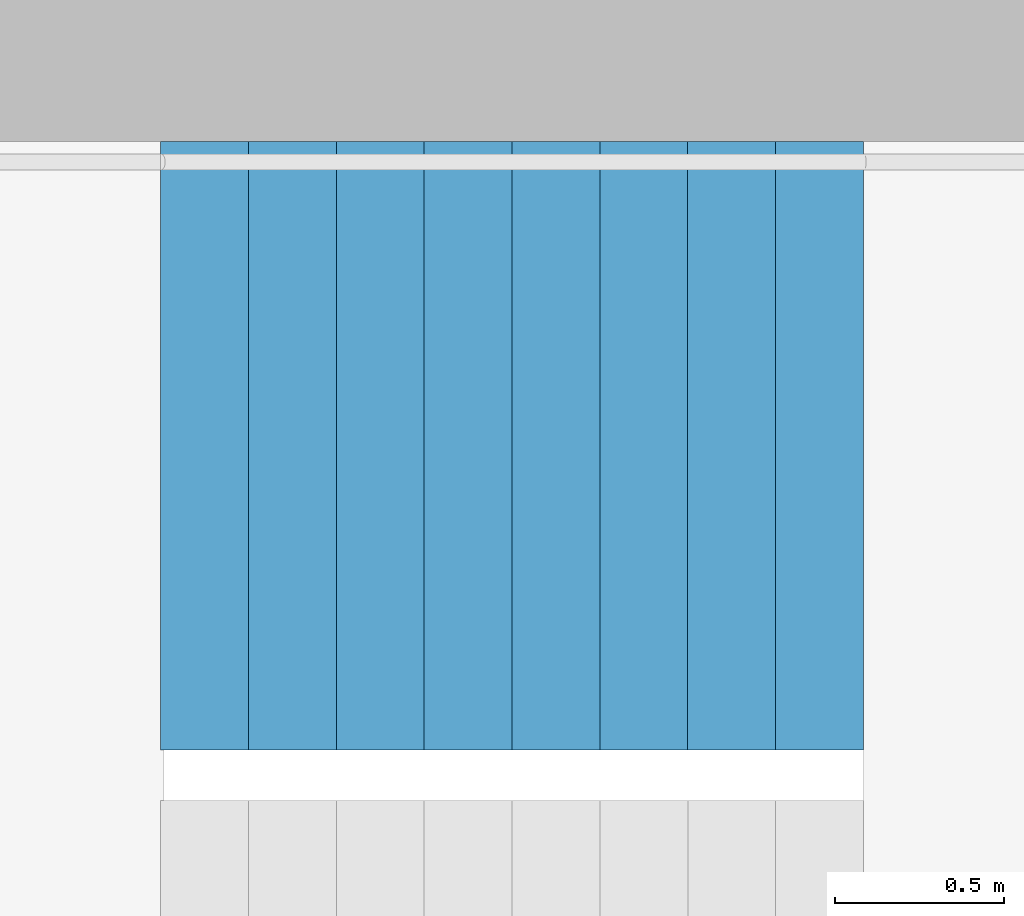
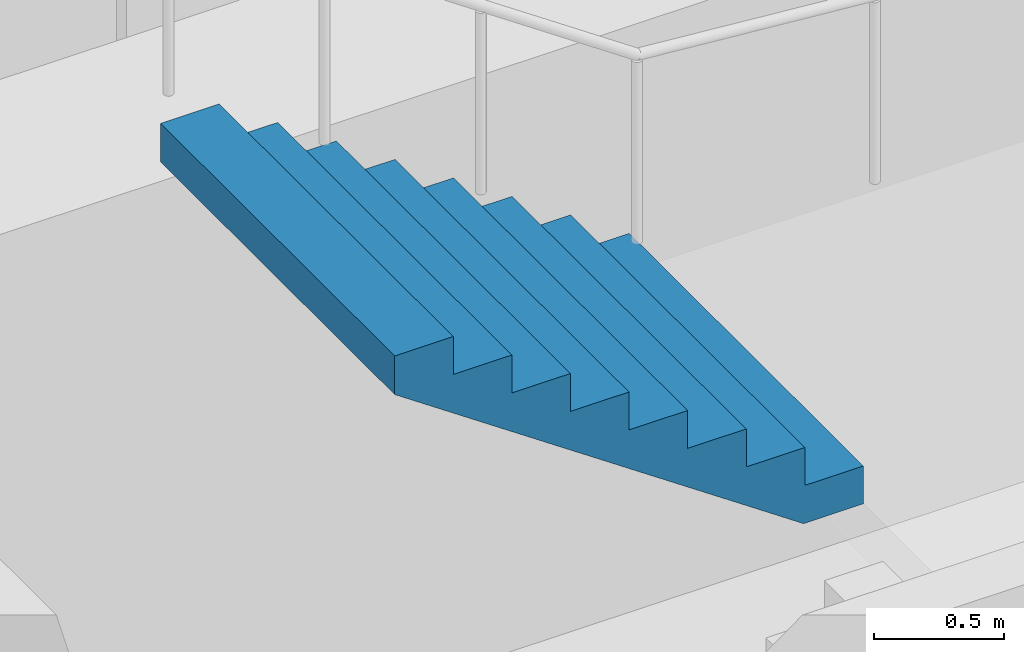
# One storey, part 21 of 26: 1 stair flight, 1 element without a shape of its own.
"""IFC4 building model written with IfcOpenShell, lengths in metres."""

from ifc_helpers import new_model, si_unit, direction, frame, origin, place, context, subcontext, project, spatial, triangles, material, type_object, element, aggregate, save


model = new_model("IFC4")

# Units and contexts
model_context = context("Model", 3, precision=1e-05, world=origin(), true_north=direction((0.0, 1.0)))
body_context = subcontext(model_context, "Body", "Model", "MODEL_VIEW")
ifc_project = project(units=[si_unit("LENGTHUNIT", "METRE"), si_unit("AREAUNIT", "SQUARE_METRE"), si_unit("VOLUMEUNIT", "CUBIC_METRE"), si_unit("PLANEANGLEUNIT", "RADIAN"), si_unit("MASSUNIT", "GRAM", prefix="KILO")], contexts=[model_context])

# Site, building, storey
site_placement = place(None, origin())
site = spatial("IfcSite", under=ifc_project, at=site_placement, CompositionType="ELEMENT")
building_placement = place(site_placement, origin())
building = spatial("IfcBuilding", under=site, at=building_placement, Name="Hakoniwa Tower and Hamabe Station Hall", CompositionType="ELEMENT")
storey_placement = place(building_placement, frame((0.0, 0.0, 212.199951171875)))
storey = spatial("IfcBuildingStorey", under=building, at=storey_placement, Name="L60", CompositionType="ELEMENT", Elevation=212.199951171875)

# Stair, stair flight
ifc_material_1 = material(Name="Concrete C40", Category="concrete")
stair_type = type_object("IfcStairType", Name="ESCAPE STAIR 1800", PredefinedType="HALF_TURN_STAIR", material=ifc_material_1)
stair_placement = place(storey_placement, origin())
stair = element("IfcStair", 1, at=stair_placement, inside=storey, type_object=stair_type, Name="Escape stair ST-1 L60", PredefinedType="HALF_TURN_STAIR")
ifc_material_2 = material(Name="Concrete C40", Category="concrete")
stair_flight_type = type_object("IfcStairFlightType", Name="STAIR FLIGHT 1800", PredefinedType="STRAIGHT", material=ifc_material_2)
stair_flight_placement = place(storey_placement, frame((-22.320068359375, 6.60009765625, 1.60009765625), z_axis=(0.0, 0.0, 1.0), x_axis=(-1.0, 0.0, 0.0)))
stair_flight = element("IfcStairFlight", 2, at=stair_flight_placement, type_object=stair_flight_type, Name="ST-1 flight 2", NumberOfRisers=9, NumberOfTreads=8, PredefinedType="STRAIGHT", RiserHeight=0.177777778, TreadLength=0.26, context=body_context, shape_type="Tessellation", body=[
    triangles([(0.0, 0.89990234375, 0.0), (0.260009765625, 0.89990234375, 0.0), (0.265625, 0.89990234375, 0.0), (0.52001953125, 0.89990234375, 0.174072265625), (0.780029296875, 0.89990234375, 0.351806640625), (1.0400390625, 0.89990234375, 0.529541015625), (1.300048828125, 0.89990234375, 0.707275390625), (1.56005859375, 0.89990234375, 0.885009765625), (1.820068359375, 0.89990234375, 1.062744140625), (2.080078125, 0.89990234375, 1.24072265625), (2.080078125, 0.89990234375, 1.422119140625), (1.820068359375, 0.89990234375, 1.422119140625), (1.820068359375, 0.89990234375, 1.244384765625), (1.56005859375, 0.89990234375, 1.244384765625), (1.56005859375, 0.89990234375, 1.066650390625), (1.300048828125, 0.89990234375, 1.066650390625), (1.300048828125, 0.89990234375, 0.888916015625), (1.0400390625, 0.89990234375, 0.888916015625), (1.0400390625, 0.89990234375, 0.711181640625), (0.780029296875, 0.89990234375, 0.711181640625), (0.780029296875, 0.89990234375, 0.533447265625), (0.52001953125, 0.89990234375, 0.533447265625), (0.52001953125, 0.89990234375, 0.35546875), (0.265625, 0.89990234375, 0.35546875), (0.260009765625, 0.89990234375, 0.35546875), (0.260009765625, 0.89990234375, 0.177734375), (0.0, 0.89990234375, 0.177734375), (0.0, 0.06005859375, 0.0), (0.260009765625, 0.06005859375, 0.0), (0.265625, 0.06005859375, 0.0), (0.52001953125, 0.06005859375, 0.174072265625), (0.780029296875, 0.06005859375, 0.351806640625), (1.0400390625, 0.06005859375, 0.529541015625), (1.300048828125, 0.06005859375, 0.707275390625), (1.56005859375, 0.06005859375, 0.885009765625), (1.820068359375, 0.06005859375, 1.062744140625), (2.080078125, 0.06005859375, 1.24072265625), (2.080078125, 0.06005859375, 1.422119140625), (1.820068359375, 0.06005859375, 1.422119140625), (1.820068359375, 0.06005859375, 1.244384765625), (1.56005859375, 0.06005859375, 1.244384765625), (1.56005859375, 0.06005859375, 1.066650390625), (1.300048828125, 0.06005859375, 1.066650390625), (1.300048828125, 0.06005859375, 0.888916015625), (1.0400390625, 0.06005859375, 0.888916015625), (1.0400390625, 0.06005859375, 0.711181640625), (0.780029296875, 0.06005859375, 0.711181640625), (0.780029296875, 0.06005859375, 0.533447265625), (0.52001953125, 0.06005859375, 0.533447265625), (0.52001953125, 0.06005859375, 0.35546875), (0.265625, 0.06005859375, 0.35546875), (0.260009765625, 0.06005859375, 0.35546875), (0.260009765625, 0.06005859375, 0.177734375), (0.0, 0.06005859375, 0.177734375), (0.0, 0.04296875, 0.0), (0.260009765625, 0.04296875, 0.0), (0.265625, 0.04296875, 0.0), (0.52001953125, 0.04296875, 0.174072265625), (0.780029296875, 0.04296875, 0.351806640625), (1.0400390625, 0.04296875, 0.529541015625), (1.300048828125, 0.04296875, 0.707275390625), (1.56005859375, 0.04296875, 0.885009765625), (1.820068359375, 0.04296875, 1.062744140625), (2.080078125, 0.04296875, 1.24072265625), (2.080078125, 0.04296875, 1.422119140625), (1.820068359375, 0.04296875, 1.422119140625), (1.820068359375, 0.04296875, 1.244384765625), (1.56005859375, 0.04296875, 1.244384765625), (1.56005859375, 0.04296875, 1.066650390625), (1.300048828125, 0.04296875, 1.066650390625), (1.300048828125, 0.04296875, 0.888916015625), (1.0400390625, 0.04296875, 0.888916015625), (1.0400390625, 0.04296875, 0.711181640625), (0.780029296875, 0.04296875, 0.711181640625), (0.780029296875, 0.04296875, 0.533447265625), (0.52001953125, 0.04296875, 0.533447265625), (0.52001953125, 0.04296875, 0.35546875), (0.265625, 0.04296875, 0.35546875), (0.260009765625, 0.04296875, 0.35546875), (0.260009765625, 0.04296875, 0.177734375), (0.0, 0.04296875, 0.177734375), (0.0, 0.025634765625, 0.0), (0.260009765625, 0.025634765625, 0.0), (0.265625, 0.025634765625, 0.0), (0.52001953125, 0.025634765625, 0.174072265625), (0.780029296875, 0.025634765625, 0.351806640625), (1.0400390625, 0.025634765625, 0.529541015625), (1.300048828125, 0.025634765625, 0.707275390625), (1.56005859375, 0.025634765625, 0.885009765625), (1.820068359375, 0.025634765625, 1.062744140625), (2.080078125, 0.025634765625, 1.24072265625), (2.080078125, 0.025634765625, 1.422119140625), (1.820068359375, 0.025634765625, 1.422119140625), (1.820068359375, 0.025634765625, 1.244384765625), (1.56005859375, 0.025634765625, 1.244384765625), (1.56005859375, 0.025634765625, 1.066650390625), (1.300048828125, 0.025634765625, 1.066650390625), (1.300048828125, 0.025634765625, 0.888916015625), (1.0400390625, 0.025634765625, 0.888916015625), (1.0400390625, 0.025634765625, 0.711181640625), (0.780029296875, 0.025634765625, 0.711181640625), (0.780029296875, 0.025634765625, 0.533447265625), (0.52001953125, 0.025634765625, 0.533447265625), (0.52001953125, 0.025634765625, 0.35546875), (0.265625, 0.025634765625, 0.35546875), (0.260009765625, 0.025634765625, 0.35546875), (0.260009765625, 0.025634765625, 0.177734375), (0.0, 0.025634765625, 0.177734375), (0.0, 0.008544921875, 0.0), (0.260009765625, 0.008544921875, 0.0), (0.265625, 0.008544921875, 0.0), (0.52001953125, 0.008544921875, 0.174072265625), (0.780029296875, 0.008544921875, 0.351806640625), (1.0400390625, 0.008544921875, 0.529541015625), (1.300048828125, 0.008544921875, 0.707275390625), (1.56005859375, 0.008544921875, 0.885009765625), (1.820068359375, 0.008544921875, 1.062744140625), (2.080078125, 0.008544921875, 1.24072265625), (2.080078125, 0.008544921875, 1.422119140625), (1.820068359375, 0.008544921875, 1.422119140625), (1.820068359375, 0.008544921875, 1.244384765625), (1.56005859375, 0.008544921875, 1.244384765625), (1.56005859375, 0.008544921875, 1.066650390625), (1.300048828125, 0.008544921875, 1.066650390625), (1.300048828125, 0.008544921875, 0.888916015625), (1.0400390625, 0.008544921875, 0.888916015625), (1.0400390625, 0.008544921875, 0.711181640625), (0.780029296875, 0.008544921875, 0.711181640625), (0.780029296875, 0.008544921875, 0.533447265625), (0.52001953125, 0.008544921875, 0.533447265625), (0.52001953125, 0.008544921875, 0.35546875), (0.265625, 0.008544921875, 0.35546875), (0.260009765625, 0.008544921875, 0.35546875), (0.260009765625, 0.008544921875, 0.177734375), (0.0, 0.008544921875, 0.177734375), (0.0, -0.008544921875, 0.0), (0.260009765625, -0.008544921875, 0.0), (0.265625, -0.008544921875, 0.0), (0.52001953125, -0.008544921875, 0.174072265625), (0.780029296875, -0.008544921875, 0.351806640625), (1.0400390625, -0.008544921875, 0.529541015625), (1.300048828125, -0.008544921875, 0.707275390625), (1.56005859375, -0.008544921875, 0.885009765625), (1.820068359375, -0.008544921875, 1.062744140625), (2.080078125, -0.008544921875, 1.24072265625), (2.080078125, -0.008544921875, 1.422119140625), (1.820068359375, -0.008544921875, 1.422119140625), (1.820068359375, -0.008544921875, 1.244384765625), (1.56005859375, -0.008544921875, 1.244384765625), (1.56005859375, -0.008544921875, 1.066650390625), (1.300048828125, -0.008544921875, 1.066650390625), (1.300048828125, -0.008544921875, 0.888916015625), (1.0400390625, -0.008544921875, 0.888916015625), (1.0400390625, -0.008544921875, 0.711181640625), (0.780029296875, -0.008544921875, 0.711181640625), (0.780029296875, -0.008544921875, 0.533447265625), (0.52001953125, -0.008544921875, 0.533447265625), (0.52001953125, -0.008544921875, 0.35546875), (0.265625, -0.008544921875, 0.35546875), (0.260009765625, -0.008544921875, 0.35546875), (0.260009765625, -0.008544921875, 0.177734375), (0.0, -0.008544921875, 0.177734375), (0.0, -0.025634765625, 0.0), (0.260009765625, -0.025634765625, 0.0), (0.265625, -0.025634765625, 0.0), (0.52001953125, -0.025634765625, 0.174072265625), (0.780029296875, -0.025634765625, 0.351806640625), (1.0400390625, -0.025634765625, 0.529541015625), (1.300048828125, -0.025634765625, 0.707275390625), (1.56005859375, -0.025634765625, 0.885009765625), (1.820068359375, -0.025634765625, 1.062744140625), (2.080078125, -0.025634765625, 1.24072265625), (2.080078125, -0.025634765625, 1.422119140625), (1.820068359375, -0.025634765625, 1.422119140625), (1.820068359375, -0.025634765625, 1.244384765625), (1.56005859375, -0.025634765625, 1.244384765625), (1.56005859375, -0.025634765625, 1.066650390625), (1.300048828125, -0.025634765625, 1.066650390625), (1.300048828125, -0.025634765625, 0.888916015625), (1.0400390625, -0.025634765625, 0.888916015625), (1.0400390625, -0.025634765625, 0.711181640625), (0.780029296875, -0.025634765625, 0.711181640625), (0.780029296875, -0.025634765625, 0.533447265625), (0.52001953125, -0.025634765625, 0.533447265625), (0.52001953125, -0.025634765625, 0.35546875), (0.265625, -0.025634765625, 0.35546875), (0.260009765625, -0.025634765625, 0.35546875), (0.260009765625, -0.025634765625, 0.177734375), (0.0, -0.025634765625, 0.177734375), (0.0, -0.04296875, 0.0), (0.260009765625, -0.04296875, 0.0), (0.265625, -0.04296875, 0.0), (0.52001953125, -0.04296875, 0.174072265625), (0.780029296875, -0.04296875, 0.351806640625), (1.0400390625, -0.04296875, 0.529541015625), (1.300048828125, -0.04296875, 0.707275390625), (1.56005859375, -0.04296875, 0.885009765625), (1.820068359375, -0.04296875, 1.062744140625), (2.080078125, -0.04296875, 1.24072265625), (2.080078125, -0.04296875, 1.422119140625), (1.820068359375, -0.04296875, 1.422119140625), (1.820068359375, -0.04296875, 1.244384765625), (1.56005859375, -0.04296875, 1.244384765625), (1.56005859375, -0.04296875, 1.066650390625), (1.300048828125, -0.04296875, 1.066650390625), (1.300048828125, -0.04296875, 0.888916015625), (1.0400390625, -0.04296875, 0.888916015625), (1.0400390625, -0.04296875, 0.711181640625), (0.780029296875, -0.04296875, 0.711181640625), (0.780029296875, -0.04296875, 0.533447265625), (0.52001953125, -0.04296875, 0.533447265625), (0.52001953125, -0.04296875, 0.35546875), (0.265625, -0.04296875, 0.35546875), (0.260009765625, -0.04296875, 0.35546875), (0.260009765625, -0.04296875, 0.177734375), (0.0, -0.04296875, 0.177734375), (0.0, -0.06005859375, 0.0), (0.260009765625, -0.06005859375, 0.0), (0.265625, -0.06005859375, 0.0), (0.52001953125, -0.06005859375, 0.174072265625), (0.780029296875, -0.06005859375, 0.351806640625), (1.0400390625, -0.06005859375, 0.529541015625), (1.300048828125, -0.06005859375, 0.707275390625), (1.56005859375, -0.06005859375, 0.885009765625), (1.820068359375, -0.06005859375, 1.062744140625), (2.080078125, -0.06005859375, 1.24072265625), (2.080078125, -0.06005859375, 1.422119140625), (1.820068359375, -0.06005859375, 1.422119140625), (1.820068359375, -0.06005859375, 1.244384765625), (1.56005859375, -0.06005859375, 1.244384765625), (1.56005859375, -0.06005859375, 1.066650390625), (1.300048828125, -0.06005859375, 1.066650390625), (1.300048828125, -0.06005859375, 0.888916015625), (1.0400390625, -0.06005859375, 0.888916015625), (1.0400390625, -0.06005859375, 0.711181640625), (0.780029296875, -0.06005859375, 0.711181640625), (0.780029296875, -0.06005859375, 0.533447265625), (0.52001953125, -0.06005859375, 0.533447265625), (0.52001953125, -0.06005859375, 0.35546875), (0.265625, -0.06005859375, 0.35546875), (0.260009765625, -0.06005859375, 0.35546875), (0.260009765625, -0.06005859375, 0.177734375), (0.0, -0.06005859375, 0.177734375), (0.0, -0.89990234375, 0.0), (0.260009765625, -0.89990234375, 0.0), (0.265625, -0.89990234375, 0.0), (0.52001953125, -0.89990234375, 0.174072265625), (0.780029296875, -0.89990234375, 0.351806640625), (1.0400390625, -0.89990234375, 0.529541015625), (1.300048828125, -0.89990234375, 0.707275390625), (1.56005859375, -0.89990234375, 0.885009765625), (1.820068359375, -0.89990234375, 1.062744140625), (2.080078125, -0.89990234375, 1.24072265625), (2.080078125, -0.89990234375, 1.422119140625), (1.820068359375, -0.89990234375, 1.422119140625), (1.820068359375, -0.89990234375, 1.244384765625), (1.56005859375, -0.89990234375, 1.244384765625), (1.56005859375, -0.89990234375, 1.066650390625), (1.300048828125, -0.89990234375, 1.066650390625), (1.300048828125, -0.89990234375, 0.888916015625), (1.0400390625, -0.89990234375, 0.888916015625), (1.0400390625, -0.89990234375, 0.711181640625), (0.780029296875, -0.89990234375, 0.711181640625), (0.780029296875, -0.89990234375, 0.533447265625), (0.52001953125, -0.89990234375, 0.533447265625), (0.52001953125, -0.89990234375, 0.35546875), (0.265625, -0.89990234375, 0.35546875), (0.260009765625, -0.89990234375, 0.35546875), (0.260009765625, -0.89990234375, 0.177734375), (0.0, -0.89990234375, 0.177734375)], [[2, 27, 26], [245, 269, 270], [2, 1, 27], [245, 270, 244], [3, 25, 24], [246, 267, 268], [3, 26, 25], [246, 268, 269], [3, 2, 26], [246, 269, 245], [4, 24, 23], [247, 266, 267], [4, 3, 24], [247, 267, 246], [5, 22, 21], [248, 264, 265], [5, 23, 22], [248, 265, 266], [5, 4, 23], [248, 266, 247], [6, 20, 19], [249, 262, 263], [6, 21, 20], [249, 263, 264], [6, 5, 21], [249, 264, 248], [7, 18, 17], [250, 260, 261], [7, 19, 18], [250, 261, 262], [7, 6, 19], [250, 262, 249], [8, 16, 15], [251, 258, 259], [8, 17, 16], [251, 259, 260], [8, 7, 17], [251, 260, 250], [9, 14, 13], [252, 256, 257], [9, 15, 14], [252, 257, 258], [9, 8, 15], [252, 258, 251], [10, 12, 11], [253, 254, 255], [10, 13, 12], [253, 255, 256], [10, 9, 13], [253, 256, 252], [1, 2, 29], [1, 29, 28], [28, 29, 56], [28, 56, 55], [55, 56, 83], [55, 83, 82], [82, 83, 110], [82, 110, 109], [109, 110, 137], [109, 137, 136], [136, 137, 164], [136, 164, 163], [163, 164, 191], [163, 191, 190], [190, 191, 218], [190, 218, 217], [217, 218, 245], [217, 245, 244], [2, 3, 30], [2, 30, 29], [29, 30, 57], [29, 57, 56], [56, 57, 84], [56, 84, 83], [83, 84, 111], [83, 111, 110], [110, 111, 138], [110, 138, 137], [137, 138, 165], [137, 165, 164], [164, 165, 192], [164, 192, 191], [191, 192, 219], [191, 219, 218], [218, 219, 246], [218, 246, 245], [3, 4, 31], [3, 31, 30], [30, 31, 58], [30, 58, 57], [57, 58, 85], [57, 85, 84], [84, 85, 112], [84, 112, 111], [111, 112, 139], [111, 139, 138], [138, 139, 166], [138, 166, 165], [165, 166, 193], [165, 193, 192], [192, 193, 220], [192, 220, 219], [219, 220, 247], [219, 247, 246], [4, 5, 32], [4, 32, 31], [31, 32, 59], [31, 59, 58], [58, 59, 86], [58, 86, 85], [85, 86, 113], [85, 113, 112], [112, 113, 140], [112, 140, 139], [139, 140, 167], [139, 167, 166], [166, 167, 194], [166, 194, 193], [193, 194, 221], [193, 221, 220], [220, 221, 248], [220, 248, 247], [5, 6, 33], [5, 33, 32], [32, 33, 60], [32, 60, 59], [59, 60, 87], [59, 87, 86], [86, 87, 114], [86, 114, 113], [113, 114, 141], [113, 141, 140], [140, 141, 168], [140, 168, 167], [167, 168, 195], [167, 195, 194], [194, 195, 222], [194, 222, 221], [221, 222, 249], [221, 249, 248], [6, 7, 34], [6, 34, 33], [33, 34, 61], [33, 61, 60], [60, 61, 88], [60, 88, 87], [87, 88, 115], [87, 115, 114], [114, 115, 142], [114, 142, 141], [141, 142, 169], [141, 169, 168], [168, 169, 196], [168, 196, 195], [195, 196, 223], [195, 223, 222], [222, 223, 250], [222, 250, 249], [7, 8, 35], [7, 35, 34], [34, 35, 62], [34, 62, 61], [61, 62, 89], [61, 89, 88], [88, 89, 116], [88, 116, 115], [115, 116, 143], [115, 143, 142], [142, 143, 170], [142, 170, 169], [169, 170, 197], [169, 197, 196], [196, 197, 224], [196, 224, 223], [223, 224, 251], [223, 251, 250], [8, 9, 36], [8, 36, 35], [35, 36, 63], [35, 63, 62], [62, 63, 90], [62, 90, 89], [89, 90, 117], [89, 117, 116], [116, 117, 144], [116, 144, 143], [143, 144, 171], [143, 171, 170], [170, 171, 198], [170, 198, 197], [197, 198, 225], [197, 225, 224], [224, 225, 252], [224, 252, 251], [9, 10, 37], [9, 37, 36], [36, 37, 64], [36, 64, 63], [63, 64, 91], [63, 91, 90], [90, 91, 118], [90, 118, 117], [117, 118, 145], [117, 145, 144], [144, 145, 172], [144, 172, 171], [171, 172, 199], [171, 199, 198], [198, 199, 226], [198, 226, 225], [225, 226, 253], [225, 253, 252], [10, 11, 38], [10, 38, 37], [37, 38, 65], [37, 65, 64], [64, 65, 92], [64, 92, 91], [91, 92, 119], [91, 119, 118], [118, 119, 146], [118, 146, 145], [145, 146, 173], [145, 173, 172], [172, 173, 200], [172, 200, 199], [199, 200, 227], [199, 227, 226], [226, 227, 254], [226, 254, 253], [11, 12, 39], [11, 39, 38], [38, 39, 66], [38, 66, 65], [65, 66, 93], [65, 93, 92], [92, 93, 120], [92, 120, 119], [119, 120, 147], [119, 147, 146], [146, 147, 174], [146, 174, 173], [173, 174, 201], [173, 201, 200], [200, 201, 228], [200, 228, 227], [227, 228, 255], [227, 255, 254], [12, 13, 40], [12, 40, 39], [39, 40, 67], [39, 67, 66], [66, 67, 94], [66, 94, 93], [93, 94, 121], [93, 121, 120], [120, 121, 148], [120, 148, 147], [147, 148, 175], [147, 175, 174], [174, 175, 202], [174, 202, 201], [201, 202, 229], [201, 229, 228], [228, 229, 256], [228, 256, 255], [13, 14, 41], [13, 41, 40], [40, 41, 68], [40, 68, 67], [67, 68, 95], [67, 95, 94], [94, 95, 122], [94, 122, 121], [121, 122, 149], [121, 149, 148], [148, 149, 176], [148, 176, 175], [175, 176, 203], [175, 203, 202], [202, 203, 230], [202, 230, 229], [229, 230, 257], [229, 257, 256], [14, 15, 42], [14, 42, 41], [41, 42, 69], [41, 69, 68], [68, 69, 96], [68, 96, 95], [95, 96, 123], [95, 123, 122], [122, 123, 150], [122, 150, 149], [149, 150, 177], [149, 177, 176], [176, 177, 204], [176, 204, 203], [203, 204, 231], [203, 231, 230], [230, 231, 258], [230, 258, 257], [15, 16, 43], [15, 43, 42], [42, 43, 70], [42, 70, 69], [69, 70, 97], [69, 97, 96], [96, 97, 124], [96, 124, 123], [123, 124, 151], [123, 151, 150], [150, 151, 178], [150, 178, 177], [177, 178, 205], [177, 205, 204], [204, 205, 232], [204, 232, 231], [231, 232, 259], [231, 259, 258], [16, 17, 44], [16, 44, 43], [43, 44, 71], [43, 71, 70], [70, 71, 98], [70, 98, 97], [97, 98, 125], [97, 125, 124], [124, 125, 152], [124, 152, 151], [151, 152, 179], [151, 179, 178], [178, 179, 206], [178, 206, 205], [205, 206, 233], [205, 233, 232], [232, 233, 260], [232, 260, 259], [17, 18, 45], [17, 45, 44], [44, 45, 72], [44, 72, 71], [71, 72, 99], [71, 99, 98], [98, 99, 126], [98, 126, 125], [125, 126, 153], [125, 153, 152], [152, 153, 180], [152, 180, 179], [179, 180, 207], [179, 207, 206], [206, 207, 234], [206, 234, 233], [233, 234, 261], [233, 261, 260], [18, 19, 46], [18, 46, 45], [45, 46, 73], [45, 73, 72], [72, 73, 100], [72, 100, 99], [99, 100, 127], [99, 127, 126], [126, 127, 154], [126, 154, 153], [153, 154, 181], [153, 181, 180], [180, 181, 208], [180, 208, 207], [207, 208, 235], [207, 235, 234], [234, 235, 262], [234, 262, 261], [19, 20, 47], [19, 47, 46], [46, 47, 74], [46, 74, 73], [73, 74, 101], [73, 101, 100], [100, 101, 128], [100, 128, 127], [127, 128, 155], [127, 155, 154], [154, 155, 182], [154, 182, 181], [181, 182, 209], [181, 209, 208], [208, 209, 236], [208, 236, 235], [235, 236, 263], [235, 263, 262], [20, 21, 48], [20, 48, 47], [47, 48, 75], [47, 75, 74], [74, 75, 102], [74, 102, 101], [101, 102, 129], [101, 129, 128], [128, 129, 156], [128, 156, 155], [155, 156, 183], [155, 183, 182], [182, 183, 210], [182, 210, 209], [209, 210, 237], [209, 237, 236], [236, 237, 264], [236, 264, 263], [21, 22, 49], [21, 49, 48], [48, 49, 76], [48, 76, 75], [75, 76, 103], [75, 103, 102], [102, 103, 130], [102, 130, 129], [129, 130, 157], [129, 157, 156], [156, 157, 184], [156, 184, 183], [183, 184, 211], [183, 211, 210], [210, 211, 238], [210, 238, 237], [237, 238, 265], [237, 265, 264], [22, 23, 50], [22, 50, 49], [49, 50, 77], [49, 77, 76], [76, 77, 104], [76, 104, 103], [103, 104, 131], [103, 131, 130], [130, 131, 158], [130, 158, 157], [157, 158, 185], [157, 185, 184], [184, 185, 212], [184, 212, 211], [211, 212, 239], [211, 239, 238], [238, 239, 266], [238, 266, 265], [23, 24, 51], [23, 51, 50], [50, 51, 78], [50, 78, 77], [77, 78, 105], [77, 105, 104], [104, 105, 132], [104, 132, 131], [131, 132, 159], [131, 159, 158], [158, 159, 186], [158, 186, 185], [185, 186, 213], [185, 213, 212], [212, 213, 240], [212, 240, 239], [239, 240, 267], [239, 267, 266], [24, 25, 52], [24, 52, 51], [51, 52, 79], [51, 79, 78], [78, 79, 106], [78, 106, 105], [105, 106, 133], [105, 133, 132], [132, 133, 160], [132, 160, 159], [159, 160, 187], [159, 187, 186], [186, 187, 214], [186, 214, 213], [213, 214, 241], [213, 241, 240], [240, 241, 268], [240, 268, 267], [25, 26, 53], [25, 53, 52], [52, 53, 80], [52, 80, 79], [79, 80, 107], [79, 107, 106], [106, 107, 134], [106, 134, 133], [133, 134, 161], [133, 161, 160], [160, 161, 188], [160, 188, 187], [187, 188, 215], [187, 215, 214], [214, 215, 242], [214, 242, 241], [241, 242, 269], [241, 269, 268], [26, 27, 54], [26, 54, 53], [53, 54, 81], [53, 81, 80], [80, 81, 108], [80, 108, 107], [107, 108, 135], [107, 135, 134], [134, 135, 162], [134, 162, 161], [161, 162, 189], [161, 189, 188], [188, 189, 216], [188, 216, 215], [215, 216, 243], [215, 243, 242], [242, 243, 270], [242, 270, 269], [27, 1, 28], [27, 28, 54], [54, 28, 55], [54, 55, 81], [81, 55, 82], [81, 82, 108], [108, 82, 109], [108, 109, 135], [135, 109, 136], [135, 136, 162], [162, 136, 163], [162, 163, 189], [189, 163, 190], [189, 190, 216], [216, 190, 217], [216, 217, 243], [243, 217, 244], [243, 244, 270]], closed=True),
])
aggregate(stair, [stair_flight])

save(model, "model.ifc")
